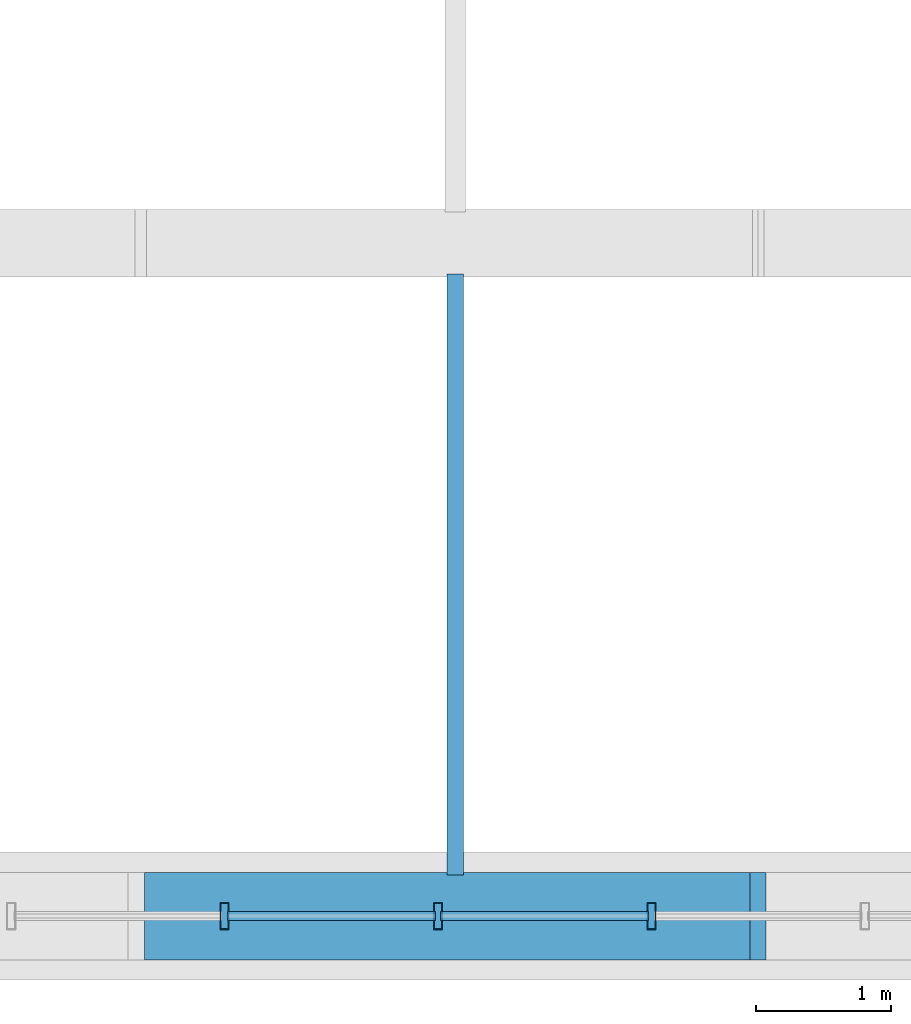
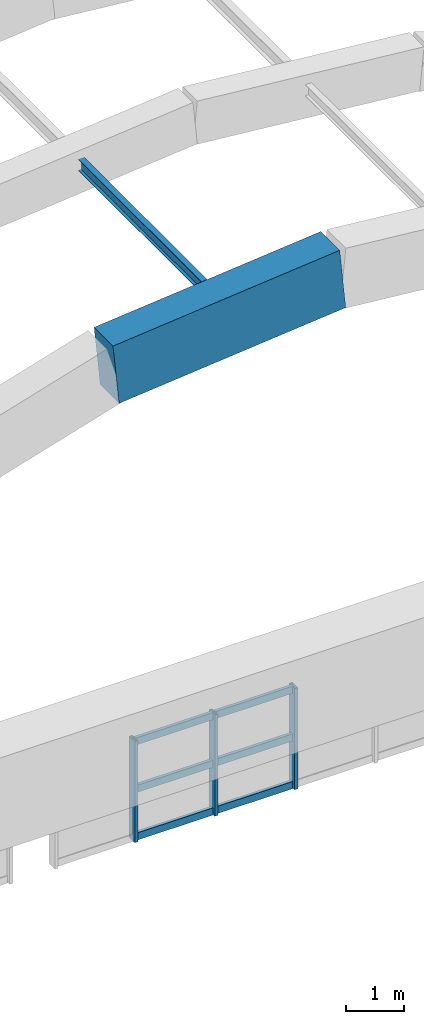
# One storey, part 64 of 111: 10 members, 1 beam, 1 element without a shape of its own.
"""IFC4 building model written with IfcOpenShell, lengths in metres."""

import ifcopenshell
import ifcopenshell.guid

model = None  # the IFC model being written
_history = None  # IfcOwnerHistory: only IFC2X3 demands one
_inside = {}  # id of a spatial element -> (the spatial element, [elements in it])
_under = {}  # id of a project, library or spatial element -> (it, [spatial elements below it])
_declared = {}  # id of a project -> (the project, [libraries it declares])
_typed = {}  # id of a type object -> (the type object, [elements of that type])
_made_of = {}  # id of a material, layer set ... -> (it, [elements and type objects made of it])


def new_model(schema):
    """Start an empty IFC model of exactly this schema.

    Asked for "IFC4X3", IfcOpenShell would pick the latest addendum, in which some entities
    have other attributes; the version numbers below select the first issue.
    IFC2X3 requires an IfcOwnerHistory on every rooted entity: one is made here for all.
    """
    global model, _history
    if schema == "IFC4X3":
        model = ifcopenshell.file(schema_version=(4, 3, 0, 0))
    else:
        model = ifcopenshell.file(schema=schema)
    _inside.clear()
    _under.clear()
    _declared.clear()
    _typed.clear()
    _made_of.clear()
    _history = None
    if model.schema == "IFC2X3":
        org = make("IfcOrganization", Name="unknown")
        user = make(
            "IfcPersonAndOrganization",
            ThePerson=make("IfcPerson", FamilyName="unknown"),
            TheOrganization=org,
        )
        app = make(
            "IfcApplication",
            ApplicationDeveloper=org,
            Version="unknown",
            ApplicationFullName="unknown",
            ApplicationIdentifier="unknown",
        )
        _history = make(
            "IfcOwnerHistory",
            OwningUser=user,
            OwningApplication=app,
            ChangeAction="ADDED",
            CreationDate=0,
        )
    return model


def make(cls, **values):
    """One entity of the class cls with the attributes given. An attribute that is None is left unset."""
    return model.create_entity(
        cls, **{name: value for name, value in values.items() if value is not None}
    )


def rooted(cls, **values):
    """An entity with a GlobalId (a new one), such as an element, a storey or a relation."""
    return make(cls, GlobalId=ifcopenshell.guid.new(), OwnerHistory=_history, **values)


def si_unit(unit_type, name, prefix=None):
    """IfcSIUnit, for example si_unit("LENGTHUNIT", "METRE", prefix="MILLI")."""
    return make("IfcSIUnit", UnitType=unit_type, Prefix=prefix, Name=name)


def assignment(units):
    """IfcUnitAssignment: the units of a project."""
    return None if units is None else make("IfcUnitAssignment", Units=units)


def point(xyz):
    """IfcCartesianPoint."""
    return None if xyz is None else make("IfcCartesianPoint", Coordinates=xyz)


def direction(xyz):
    """IfcDirection."""
    return None if xyz is None else make("IfcDirection", DirectionRatios=xyz)


def frame(location, z_axis=None, x_axis=None):
    """IfcAxis2Placement3D, a coordinate frame: its origin and axes. An axis left out is left unset."""
    return make(
        "IfcAxis2Placement3D",
        Location=point(location),
        Axis=direction(z_axis),
        RefDirection=direction(x_axis),
    )


def frame_2d(location, x_axis=None):
    """IfcAxis2Placement2D, a coordinate frame in the plane: its origin and x axis."""
    return make(
        "IfcAxis2Placement2D", Location=point(location), RefDirection=direction(x_axis)
    )


def origin():
    """The frame at (0, 0, 0) with its axes left unset."""
    return frame((0.0, 0.0, 0.0))


def origin_2d():
    """The frame at (0, 0) in the plane with its x axis left unset."""
    return frame_2d((0.0, 0.0))


def place(relative_to, where):
    """IfcLocalPlacement: puts the frame where relative to a parent placement (None: the world)."""
    return make(
        "IfcLocalPlacement", PlacementRelTo=relative_to, RelativePlacement=where
    )


def context(
    kind, dimensions, precision=None, world=None, true_north=None, identifier=None
):
    """IfcGeometricRepresentationContext, for example the 3D "Model" context."""
    return make(
        "IfcGeometricRepresentationContext",
        ContextIdentifier=identifier,
        ContextType=kind,
        CoordinateSpaceDimension=dimensions,
        Precision=precision,
        WorldCoordinateSystem=world,
        TrueNorth=true_north,
    )


def subcontext(parent, identifier, kind, view, scale=None):
    """IfcGeometricRepresentationSubContext, for example "Body" below "Model"."""
    return make(
        "IfcGeometricRepresentationSubContext",
        ContextIdentifier=identifier,
        ContextType=kind,
        ParentContext=parent,
        TargetScale=scale,
        TargetView=view,
    )


def project(units=None, contexts=None):
    """IfcProject with its units and contexts."""
    return rooted(
        "IfcProject",
        Name="project",
        RepresentationContexts=contexts,
        UnitsInContext=assignment(units),
    )


def spatial(cls, under=None, at=None, **own):
    """A site, building, storey or space (cls), placed at a placement, below another one or the project."""
    s = rooted(cls, ObjectPlacement=at, **own)
    if under is not None:
        _under.setdefault(under.id(), (under, []))[1].append(s)
    return s


def profile(cls, at=None, kind="AREA", **sizes):
    """A parametric profile (cls). Its sizes go by their IFC names, for example OverallWidth=200.0."""
    return make(cls, ProfileType=kind, Position=at, **sizes)


def rectangle(**sizes):
    """IfcRectangleProfileDef."""
    return profile("IfcRectangleProfileDef", **sizes)


def hollow_rectangle(**sizes):
    """IfcRectangleHollowProfileDef."""
    return profile("IfcRectangleHollowProfileDef", **sizes)


def i_section(**sizes):
    """IfcIShapeProfileDef."""
    return profile("IfcIShapeProfileDef", **sizes)


def extrude(swept, where, along, depth):
    """IfcExtrudedAreaSolid: the profile swept, set in the frame where, extruded along a direction by depth."""
    return make(
        "IfcExtrudedAreaSolid",
        SweptArea=swept,
        Position=where,
        ExtrudedDirection=direction(along),
        Depth=depth,
    )


def shape(context_of_items, identifier, shape_type, items):
    """IfcShapeRepresentation: the items that make up one representation, for example the "Body"."""
    return make(
        "IfcShapeRepresentation",
        ContextOfItems=context_of_items,
        RepresentationIdentifier=identifier,
        RepresentationType=shape_type,
        Items=items,
    )


def material(Name=None, Category=None):
    """IfcMaterial."""
    return make("IfcMaterial", Name=Name, Category=Category)


def layer(
    of_material, thickness, ventilated=None, Name=None, Category=None, Priority=None
):
    """IfcMaterialLayer: one layer of a wall or slab, of a material (None: an air gap)."""
    return make(
        "IfcMaterialLayer",
        Material=of_material,
        LayerThickness=thickness,
        IsVentilated=ventilated,
        Name=Name,
        Category=Category,
        Priority=Priority,
    )


def layer_set(layers, Name=None):
    """IfcMaterialLayerSet."""
    return make("IfcMaterialLayerSet", MaterialLayers=layers, LayerSetName=Name)


def material_profile(
    of_material, cross_section, Name=None, Category=None, Priority=None
):
    """IfcMaterialProfile: a cross section and its material."""
    return make(
        "IfcMaterialProfile",
        Name=Name,
        Material=of_material,
        Profile=cross_section,
        Priority=Priority,
        Category=Category,
    )


def profile_set(profiles, Name=None, composite=None):
    """IfcMaterialProfileSet."""
    return make(
        "IfcMaterialProfileSet",
        Name=Name,
        MaterialProfiles=profiles,
        CompositeProfile=composite,
    )


def made_of(thing, what):
    """Note that an element or type object is made of a material, layer set ...; save() writes the relation."""
    if what is not None:
        _made_of.setdefault(what.id(), (what, []))[1].append(thing)
    return thing


def type_object(cls, material=None, **own):
    """A type object (cls), such as IfcWallType, which elements share."""
    return made_of(rooted(cls, **own), material)


def element(
    cls,
    number,
    at=None,
    inside=None,
    cuts=None,
    type_object=None,
    material=None,
    context=None,
    identifier="Body",
    shape_type=None,
    held_by="IfcProductDefinitionShape",
    body=None,
    shapes=None,
    **own,
):
    """One element of the class cls, such as IfcWall. Its Tag is "e" and its number.

    at: its placement. inside: the storey or other place that contains it. cuts: it is an
    opening in that element (IfcRelVoidsElement). A single representation is given by context,
    identifier, shape_type and body (its items); several are given by shapes. held_by: the class
    of the entity that holds the representations. save() writes the other relations.
    """
    e = rooted(cls, Tag="e%d" % number, ObjectPlacement=at, **own)
    if body is not None:
        shapes = [shape(context, identifier, shape_type, body)]
    if shapes is not None:
        e.Representation = make(held_by, Representations=shapes)
    if inside is not None:
        _inside.setdefault(inside.id(), (inside, []))[1].append(e)
    if cuts is not None:
        rooted(
            "IfcRelVoidsElement", RelatingBuildingElement=cuts, RelatedOpeningElement=e
        )
    if type_object is not None:
        _typed.setdefault(type_object.id(), (type_object, []))[1].append(e)
    return made_of(e, material)


def aggregate(whole, parts):
    """IfcRelAggregates: a whole, such as a stair, and the parts it consists of."""
    return rooted("IfcRelAggregates", RelatingObject=whole, RelatedObjects=parts)


def save(model, path):
    """Write the relations noted so far, then the file.

    IfcRelAggregates (storeys below a building ...), IfcRelContainedInSpatialStructure (elements
    in a storey), IfcRelDefinesByType, IfcRelAssociatesMaterial and IfcRelDeclares: one each for
    every whole, place, type object, material and project.
    """
    for whole, parts in _under.values():
        aggregate(whole, parts)
    for where, things in _inside.values():
        rooted(
            "IfcRelContainedInSpatialStructure",
            RelatedElements=things,
            RelatingStructure=where,
        )
    for kind, things in _typed.values():
        rooted("IfcRelDefinesByType", RelatedObjects=things, RelatingType=kind)
    for what, things in _made_of.values():
        rooted("IfcRelAssociatesMaterial", RelatedObjects=things, RelatingMaterial=what)
    for by, libraries in _declared.values():
        rooted("IfcRelDeclares", RelatingContext=by, RelatedDefinitions=libraries)
    model.write(path)


model = new_model("IFC4")

# Units and contexts
model_context = context("Model", 3, precision=1e-05, world=origin(), true_north=direction((0.0, 1.0)))
body_context = subcontext(model_context, "Body", "Model", "MODEL_VIEW")
ifc_project = project(units=[si_unit("LENGTHUNIT", "METRE"), si_unit("AREAUNIT", "SQUARE_METRE"), si_unit("VOLUMEUNIT", "CUBIC_METRE"), si_unit("PLANEANGLEUNIT", "RADIAN"), si_unit("MASSUNIT", "GRAM", prefix="KILO")], contexts=[model_context])

# Site, building, storey
site_placement = place(None, origin())
site = spatial("IfcSite", under=ifc_project, at=site_placement, CompositionType="ELEMENT")
building_placement = place(site_placement, origin())
building = spatial("IfcBuilding", under=site, at=building_placement, Name="Mersad Railyard Sports Hall", CompositionType="ELEMENT")
storey_placement = place(building_placement, frame((0.0, 0.0, 9.0)))
storey = spatial("IfcBuildingStorey", under=building, at=storey_placement, Name="L02", CompositionType="ELEMENT", Elevation=9.0)

# Curtain wall, members
ifc_material_1 = material(Name="Aluminium 6063-T6", Category="aluminium")
ifc_layer = layer(ifc_material_1, 0.199951171875)
ifc_layer_set = layer_set([ifc_layer], Name="Aluminium 6063-T6")
curtain_wall_type = type_object("IfcCurtainWallType", Name="ARC-CW-CW13", PredefinedType="USERDEFINED", material=ifc_layer_set)
curtain_wall_placement = place(storey_placement, origin())
curtain_wall = element("IfcCurtainWall", 1, at=curtain_wall_placement, inside=storey, type_object=curtain_wall_type, Name="Curtain wall CW13-0040", ObjectType="CURTAIN WALL", PredefinedType="USERDEFINED")
ifc_material_profile_1 = material_profile(ifc_material_1, hollow_rectangle(XDim=0.06494140625, YDim=0.199951171875, WallThickness=0.0048828125, at=origin_2d()), Name="AL MULLION 65x200x5")
ifc_profile_set_1 = profile_set([ifc_material_profile_1], Name="Aluminium 6063-T6")
member_type_1 = type_object("IfcMemberType", Name="ARC-CW-MUL02", PredefinedType="MULLION", material=ifc_profile_set_1)
member_1_placement = place(storey_placement, frame((154.20703125, 3.5, -0.02001953125), z_axis=(0.0, 0.0, 1.0), x_axis=(1.0, 0.0, 0.0)))
member_1 = element("IfcMember", 2, at=member_1_placement, type_object=member_type_1, Name="CW13 Mullion 5", PredefinedType="MULLION", context=body_context, shape_type="SweptSolid", body=[
    extrude(hollow_rectangle(XDim=0.06494140625, YDim=0.199951171875, WallThickness=0.0048828125, at=origin_2d()), origin(), (0.0, 0.0, 1.0), 2.1201171875),
])
member_2_placement = place(storey_placement, frame((152.621337890625, 3.5, -0.02001953125), z_axis=(0.0, 0.0, 1.0), x_axis=(1.0, 0.0, 0.0)))
member_2 = element("IfcMember", 3, at=member_2_placement, type_object=member_type_1, Name="CW13 Mullion 6", PredefinedType="MULLION", context=body_context, shape_type="SweptSolid", body=[
    extrude(hollow_rectangle(XDim=0.06494140625, YDim=0.199951171875, WallThickness=0.0048828125, at=origin_2d()), origin(), (0.0, 0.0, 1.0), 2.1201171875),
])
member_3_placement = place(storey_placement, frame((151.03564453125, 3.5, -0.02001953125), z_axis=(0.0, 0.0, 1.0), x_axis=(1.0, 0.0, 0.0)))
member_3 = element("IfcMember", 4, at=member_3_placement, type_object=member_type_1, Name="CW13 Mullion 7", PredefinedType="MULLION", context=body_context, shape_type="SweptSolid", body=[
    extrude(hollow_rectangle(XDim=0.06494140625, YDim=0.199951171875, WallThickness=0.0048828125, at=origin_2d()), origin(), (0.0, 0.0, 1.0), 2.1201171875),
])
ifc_material_profile_2 = material_profile(ifc_material_1, hollow_rectangle(XDim=0.06494140625, YDim=0.14990234375, WallThickness=0.00439453125, at=origin_2d()), Name="AL TRANSOM 65x150x4.5")
ifc_profile_set_2 = profile_set([ifc_material_profile_2], Name="Aluminium 6063-T6")
member_type_2 = type_object("IfcMemberType", Name="ARC-CW-TRN02", PredefinedType="USERDEFINED", material=ifc_profile_set_2)
member_4_placement = place(storey_placement, frame((154.187255859375, 3.5, 0.0400390625), z_axis=(-1.0, 0.0, 0.0), x_axis=(0.0, -1.0, 0.0)))
member_4 = element("IfcMember", 5, at=member_4_placement, type_object=member_type_2, Name="CW13 Transom 1-5", ObjectType="TRANSOM", PredefinedType="USERDEFINED", context=body_context, shape_type="SweptSolid", body=[
    extrude(hollow_rectangle(XDim=0.06494140625, YDim=0.14990234375, WallThickness=0.00439453125, at=origin_2d()), origin(), (0.0, 0.0, 1.0), 1.5458984375),
])
member_5_placement = place(storey_placement, frame((152.601318359375, 3.5, 0.0400390625), z_axis=(-1.0, 0.0, 0.0), x_axis=(0.0, -1.0, 0.0)))
member_5 = element("IfcMember", 6, at=member_5_placement, type_object=member_type_2, Name="CW13 Transom 1-6", ObjectType="TRANSOM", PredefinedType="USERDEFINED", context=body_context, shape_type="SweptSolid", body=[
    extrude(hollow_rectangle(XDim=0.06494140625, YDim=0.14990234375, WallThickness=0.00439453125, at=origin_2d()), origin(), (0.0, 0.0, 1.0), 1.545654296875),
])
member_6_placement = place(storey_placement, frame((154.187255859375, 3.5, 1.0400390625), z_axis=(-1.0, 0.0, 0.0), x_axis=(0.0, -1.0, 0.0)))
member_6 = element("IfcMember", 7, at=member_6_placement, type_object=member_type_2, Name="CW13 Transom 2-5", ObjectType="TRANSOM", PredefinedType="USERDEFINED", context=body_context, shape_type="SweptSolid", body=[
    extrude(hollow_rectangle(XDim=0.06494140625, YDim=0.14990234375, WallThickness=0.00439453125, at=origin_2d()), origin(), (0.0, 0.0, 1.0), 1.5458984375),
])
member_7_placement = place(storey_placement, frame((152.601318359375, 3.5, 1.0400390625), z_axis=(-1.0, 0.0, 0.0), x_axis=(0.0, -1.0, 0.0)))
member_7 = element("IfcMember", 8, at=member_7_placement, type_object=member_type_2, Name="CW13 Transom 2-6", ObjectType="TRANSOM", PredefinedType="USERDEFINED", context=body_context, shape_type="SweptSolid", body=[
    extrude(hollow_rectangle(XDim=0.06494140625, YDim=0.14990234375, WallThickness=0.00439453125, at=origin_2d()), origin(), (0.0, 0.0, 1.0), 1.545654296875),
])
member_8_placement = place(storey_placement, frame((154.187255859375, 3.5, 2.0400390625), z_axis=(-1.0, 0.0, 0.0), x_axis=(0.0, -1.0, 0.0)))
member_8 = element("IfcMember", 9, at=member_8_placement, type_object=member_type_2, Name="CW13 Transom 3-5", ObjectType="TRANSOM", PredefinedType="USERDEFINED", context=body_context, shape_type="SweptSolid", body=[
    extrude(hollow_rectangle(XDim=0.06494140625, YDim=0.14990234375, WallThickness=0.00439453125, at=origin_2d()), origin(), (0.0, 0.0, 1.0), 1.5458984375),
])
member_9_placement = place(storey_placement, frame((152.601318359375, 3.5, 2.0400390625), z_axis=(-1.0, 0.0, 0.0), x_axis=(0.0, -1.0, 0.0)))
member_9 = element("IfcMember", 10, at=member_9_placement, type_object=member_type_2, Name="CW13 Transom 3-6", ObjectType="TRANSOM", PredefinedType="USERDEFINED", context=body_context, shape_type="SweptSolid", body=[
    extrude(hollow_rectangle(XDim=0.06494140625, YDim=0.14990234375, WallThickness=0.00439453125, at=origin_2d()), origin(), (0.0, 0.0, 1.0), 1.545654296875),
])
aggregate(curtain_wall, [member_1, member_2, member_3, member_4, member_5, member_6, member_7, member_8, member_9])

# Beam
ifc_material_2 = material(Name="Architectural concrete C50/60", Category="concrete")
ifc_material_profile_3 = material_profile(ifc_material_2, rectangle(XDim=0.64990234375, YDim=1.25, at=origin_2d()), Name="VR 650x1250")
ifc_profile_set_3 = profile_set([ifc_material_profile_3], Name="Architectural concrete C50/60")
beam_type = type_object("IfcBeamType", Name="STR-BM-VR01", PredefinedType="BEAM", material=ifc_profile_set_3)
beam_placement = place(storey_placement, frame((150.5, 3.5, 10.11474609375), z_axis=(0.995353854101, 0.0, 0.096284500969), x_axis=(0.0, 1.0, 0.0)))
element("IfcBeam", 11, at=beam_placement, inside=storey, type_object=beam_type, Name="Beam VR01-0724", PredefinedType="BEAM", context=body_context, shape_type="SweptSolid", body=[
    extrude(rectangle(XDim=0.64990234375, YDim=1.25, at=origin_2d()), origin(), (0.0, 0.0, 1.0), 4.52099609375),
])

# Member
ifc_material_3 = material(Name="Steel S355", Category="steel")
ifc_material_profile_4 = material_profile(ifc_material_3, i_section(OverallWidth=0.1201171875, OverallDepth=0.239990234375, WebThickness=0.006103515625, FlangeThickness=0.009765625, at=origin_2d()), Name="IPE 240")
ifc_profile_set_4 = profile_set([ifc_material_profile_4], Name="Steel S355")
member_type_3 = type_object("IfcMemberType", Name="STR-MEM-PU01", PredefinedType="PURLIN", material=ifc_profile_set_4)
member_10_placement = place(storey_placement, frame((152.75, 3.804931640625, 10.662353515625), z_axis=(0.0, 1.0, 0.0), x_axis=(-1.0, 0.0, 0.0)))
element("IfcMember", 12, at=member_10_placement, inside=storey, type_object=member_type_3, Name="Structural member PU01-0100", PredefinedType="PURLIN", context=body_context, shape_type="SweptSolid", body=[
    extrude(i_section(OverallWidth=0.1201171875, OverallDepth=0.239990234375, WebThickness=0.006103515625, FlangeThickness=0.009765625, at=origin_2d()), origin(), (0.0, 0.0, 1.0), 4.465087890625),
])

save(model, "model.ifc")
